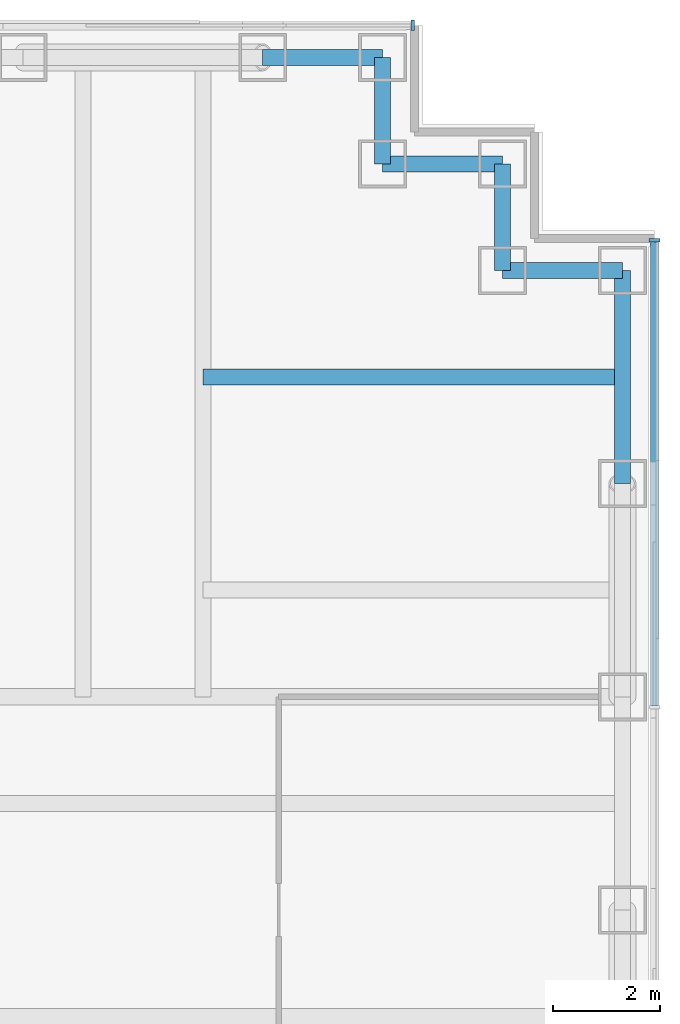
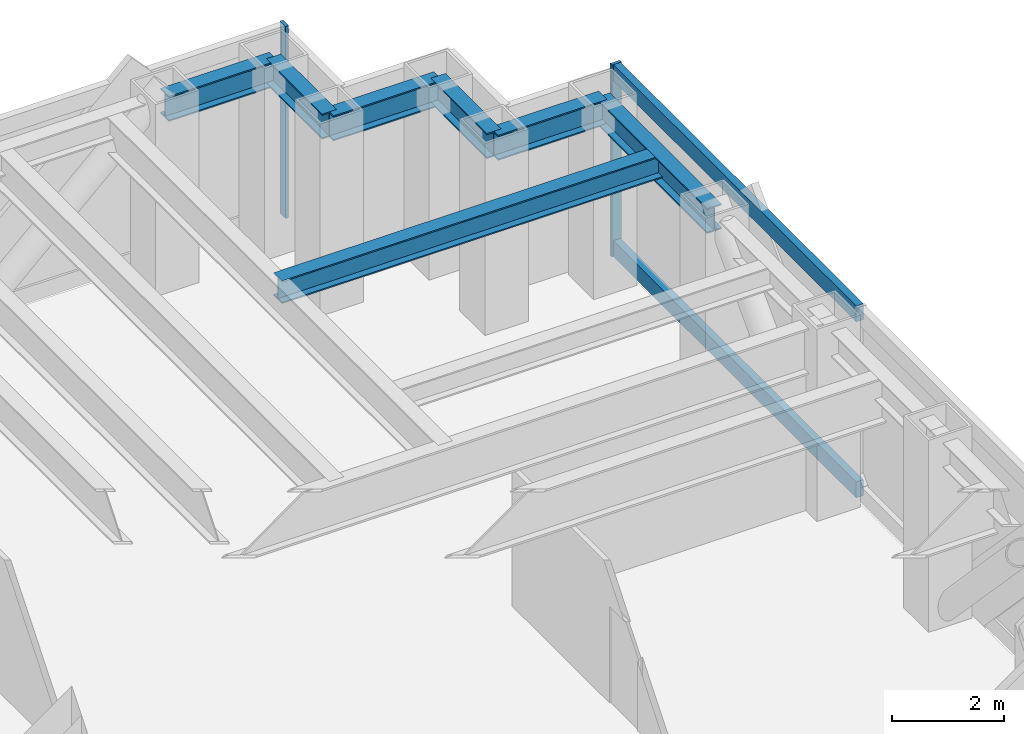
# One storey, part 9 of 15: 7 beams, 4 members, 2 elements without a shape of their own.
"""IFC4 building model written with IfcOpenShell, lengths in metres."""

from ifc_helpers import new_model, si_unit, direction, frame, origin, origin_2d, place, context, subcontext, project, spatial, rectangle, i_section, extrude, material, material_profile, profile_set, type_object, element, aggregate, save


model = new_model("IFC4")

# Units and contexts
model_context = context("Model", 3, precision=1e-05, world=origin(), true_north=direction((0.0, 1.0)))
body_context = subcontext(model_context, "Body", "Model", "MODEL_VIEW")
ifc_project = project(units=[si_unit("LENGTHUNIT", "METRE"), si_unit("AREAUNIT", "SQUARE_METRE"), si_unit("VOLUMEUNIT", "CUBIC_METRE"), si_unit("PLANEANGLEUNIT", "RADIAN"), si_unit("MASSUNIT", "GRAM", prefix="KILO")], contexts=[model_context])

# Site, building, storey
site_placement = place(None, origin())
site = spatial("IfcSite", under=ifc_project, at=site_placement, CompositionType="ELEMENT")
building_placement = place(site_placement, origin())
building = spatial("IfcBuilding", under=site, at=building_placement, Name="Rheinbord Bourse Tower", CompositionType="ELEMENT")
storey_placement = place(building_placement, frame((0.0, 0.0, 325.699951171875)))
storey = spatial("IfcBuildingStorey", under=building, at=storey_placement, Name="L74", CompositionType="ELEMENT", Elevation=325.699951171875)

# Curtain wall, member
ifc_material_1 = material(Name="Dark glass and black aluminium", Category="aluminium")
curtain_wall_type = type_object("IfcCurtainWallType", Name="CW3 DARK GLASS CURTAIN WALL", PredefinedType="USERDEFINED", material=ifc_material_1)
curtain_wall_1_placement = place(storey_placement, origin())
curtain_wall_1 = element("IfcCurtainWall", 1, at=curtain_wall_1_placement, inside=storey, type_object=curtain_wall_type, Name="Curtain wall CW3 E L74", ObjectType="UNITISED CURTAIN WALL", PredefinedType="USERDEFINED")
ifc_material_2 = material(Name="Black anodised aluminium", Category="aluminium")
ifc_material_profile_1 = material_profile(ifc_material_2, rectangle(XDim=0.199951171875, YDim=0.06494140625, at=origin_2d()), Name="CW3 MULLION 65x200")
ifc_profile_set_1 = profile_set([ifc_material_profile_1], Name="Black anodised aluminium")
member_type_1 = type_object("IfcMemberType", Name="CW3 BLACK MULLION", PredefinedType="MULLION", material=ifc_profile_set_1)
member_1_placement = place(storey_placement, frame((70.35009765625, 40.5673828125, 0.0), z_axis=(0.0, 0.0, 1.0), x_axis=(-1.0, 0.0, 0.0)))
member_1 = element("IfcMember", 2, at=member_1_placement, type_object=member_type_1, Name="CW3 mullion 5", PredefinedType="MULLION", context=body_context, shape_type="SweptSolid", body=[
    extrude(rectangle(XDim=0.199951171875, YDim=0.06494140625, at=origin_2d()), origin(), (0.0, 0.0, 1.0), 4.199951171875),
])

curtain_wall_2_placement = place(storey_placement, origin())
curtain_wall_2 = element("IfcCurtainWall", 3, at=curtain_wall_2_placement, inside=storey, type_object=curtain_wall_type, Name="Curtain wall CW3 N L74", ObjectType="UNITISED CURTAIN WALL", PredefinedType="USERDEFINED")
member_2_placement = place(storey_placement, frame((65.8173828125, 44.60009765625, 0.0), z_axis=(0.0, 0.0, 1.0), x_axis=(0.0, -1.0, 0.0)))
member_2 = element("IfcMember", 4, at=member_2_placement, type_object=member_type_1, Name="CW3 mullion 1", PredefinedType="MULLION", context=body_context, shape_type="SweptSolid", body=[
    extrude(rectangle(XDim=0.199951171875, YDim=0.06494140625, at=origin_2d()), origin(), (0.0, 0.0, 1.0), 4.199951171875),
])
aggregate(curtain_wall_2, [member_2])

# Member
ifc_material_3 = material(Name="Black anodised aluminium", Category="aluminium")
ifc_material_profile_2 = material_profile(ifc_material_3, rectangle(XDim=0.14990234375, YDim=0.35009765625, at=origin_2d()), Name="CW3 TRANSOM 350x150")
ifc_profile_set_2 = profile_set([ifc_material_profile_2], Name="Black anodised aluminium")
member_type_2 = type_object("IfcMemberType", Name="CW3 BLACK TRANSOM", PredefinedType="USERDEFINED", material=ifc_profile_set_2)
member_3_placement = place(storey_placement, frame((70.35009765625, 31.83251953125, 0.175048828125), z_axis=(0.0, 1.0, 0.0), x_axis=(-1.0, 0.0, 0.0)))
member_3 = element("IfcMember", 5, at=member_3_placement, type_object=member_type_2, Name="CW3 transom 4.1", ObjectType="TRANSOM", PredefinedType="USERDEFINED", context=body_context, shape_type="SweptSolid", body=[
    extrude(rectangle(XDim=0.14990234375, YDim=0.35009765625, at=origin_2d()), origin(), (0.0, 0.0, 1.0), 8.702392578125),
])

member_4_placement = place(storey_placement, frame((70.35009765625, 31.83251953125, 4.025146484375), z_axis=(0.0, 1.0, 0.0), x_axis=(-1.0, 0.0, 0.0)))
member_4 = element("IfcMember", 6, at=member_4_placement, type_object=member_type_2, Name="CW3 transom 4.2", ObjectType="TRANSOM", PredefinedType="USERDEFINED", context=body_context, shape_type="SweptSolid", body=[
    extrude(rectangle(XDim=0.14990234375, YDim=0.35009765625, at=origin_2d()), origin(), (0.0, 0.0, 1.0), 8.702392578125),
])

aggregate(curtain_wall_1, [member_1, member_3, member_4])

# Beams
ifc_material_4 = material(Name="Steel S460", Category="steel")
ifc_material_profile_3 = material_profile(ifc_material_4, i_section(OverallWidth=0.300048828125, OverallDepth=0.550048828125, WebThickness=0.014892578125, FlangeThickness=0.029052734375, at=origin_2d()), Name="HEB 550")
ifc_profile_set_3 = profile_set([ifc_material_profile_3], Name="Steel S460")
beam_type_1 = type_object("IfcBeamType", Name="SPANDREL HEB 550", PredefinedType="SPANDREL", material=ifc_profile_set_3)
beam_1_placement = place(storey_placement, frame((69.75, 36.0, 3.76513671875), z_axis=(0.0, 1.0, 0.0), x_axis=(-1.0, 0.0, 0.0)))
element("IfcBeam", 7, at=beam_1_placement, inside=storey, type_object=beam_type_1, Name="Spandrel E-36-NE-A under L75", PredefinedType="SPANDREL", context=body_context, shape_type="SweptSolid", body=[
    extrude(i_section(OverallWidth=0.300048828125, OverallDepth=0.550048828125, WebThickness=0.014892578125, FlangeThickness=0.029052734375, at=origin_2d()), origin(), (0.0, 0.0, 1.0), 4.0),
])
beam_2_placement = place(storey_placement, frame((69.75, 40.0, 3.76513671875), z_axis=(-1.0, 0.0, 0.0), x_axis=(0.0, -1.0, 0.0)))
element("IfcBeam", 8, at=beam_2_placement, inside=storey, type_object=beam_type_1, Name="Spandrel NE-A-NE-B under L75", PredefinedType="SPANDREL", context=body_context, shape_type="SweptSolid", body=[
    extrude(i_section(OverallWidth=0.300048828125, OverallDepth=0.550048828125, WebThickness=0.014892578125, FlangeThickness=0.029052734375, at=origin_2d()), origin(), (0.0, 0.0, 1.0), 2.25),
])
beam_3_placement = place(storey_placement, frame((67.5, 40.0, 3.76513671875), z_axis=(0.0, 1.0, 0.0), x_axis=(-1.0, 0.0, 0.0)))
element("IfcBeam", 9, at=beam_3_placement, inside=storey, type_object=beam_type_1, Name="Spandrel NE-B-NE-C under L75", PredefinedType="SPANDREL", context=body_context, shape_type="SweptSolid", body=[
    extrude(i_section(OverallWidth=0.300048828125, OverallDepth=0.550048828125, WebThickness=0.014892578125, FlangeThickness=0.029052734375, at=origin_2d()), origin(), (0.0, 0.0, 1.0), 2.0),
])
beam_4_placement = place(storey_placement, frame((67.5, 42.0, 3.76513671875), z_axis=(-1.0, 0.0, 0.0), x_axis=(0.0, -1.0, 0.0)))
element("IfcBeam", 10, at=beam_4_placement, inside=storey, type_object=beam_type_1, Name="Spandrel NE-C-NE-D under L75", PredefinedType="SPANDREL", context=body_context, shape_type="SweptSolid", body=[
    extrude(i_section(OverallWidth=0.300048828125, OverallDepth=0.550048828125, WebThickness=0.014892578125, FlangeThickness=0.029052734375, at=origin_2d()), origin(), (0.0, 0.0, 1.0), 2.25),
])
beam_5_placement = place(storey_placement, frame((65.25, 42.0, 3.76513671875), z_axis=(0.0, 1.0, 0.0), x_axis=(-1.0, 0.0, 0.0)))
element("IfcBeam", 11, at=beam_5_placement, inside=storey, type_object=beam_type_1, Name="Spandrel NE-D-NE-E under L75", PredefinedType="SPANDREL", context=body_context, shape_type="SweptSolid", body=[
    extrude(i_section(OverallWidth=0.300048828125, OverallDepth=0.550048828125, WebThickness=0.014892578125, FlangeThickness=0.029052734375, at=origin_2d()), origin(), (0.0, 0.0, 1.0), 2.0),
])
beam_6_placement = place(storey_placement, frame((65.25, 44.0, 3.76513671875), z_axis=(-1.0, 0.0, 0.0), x_axis=(0.0, -1.0, 0.0)))
element("IfcBeam", 12, at=beam_6_placement, inside=storey, type_object=beam_type_1, Name="Spandrel NE-E-N-63 under L75", PredefinedType="SPANDREL", context=body_context, shape_type="SweptSolid", body=[
    extrude(i_section(OverallWidth=0.300048828125, OverallDepth=0.550048828125, WebThickness=0.014892578125, FlangeThickness=0.029052734375, at=origin_2d()), origin(), (0.0, 0.0, 1.0), 2.25),
])
ifc_material_5 = material(Name="Steel S460", Category="steel")
ifc_material_profile_4 = material_profile(ifc_material_5, i_section(OverallWidth=0.300048828125, OverallDepth=0.5, WebThickness=0.014404296875, FlangeThickness=0.028076171875, at=origin_2d()), Name="HEB 500")
ifc_profile_set_4 = profile_set([ifc_material_profile_4], Name="Steel S460")
beam_type_2 = type_object("IfcBeamType", Name="TIE BEAM HEB 500", PredefinedType="JOIST", material=ifc_profile_set_4)
beam_7_placement = place(storey_placement, frame((61.875, 38.0, 3.7900390625), z_axis=(1.0, 0.0, 0.0), x_axis=(0.0, 1.0, 0.0)))
element("IfcBeam", 13, at=beam_7_placement, inside=storey, type_object=beam_type_2, Name="Tie east 38 L75", PredefinedType="JOIST", context=body_context, shape_type="SweptSolid", body=[
    extrude(i_section(OverallWidth=0.300048828125, OverallDepth=0.5, WebThickness=0.014404296875, FlangeThickness=0.028076171875, at=origin_2d()), origin(), (0.0, 0.0, 1.0), 7.875),
])

save(model, "model.ifc")
